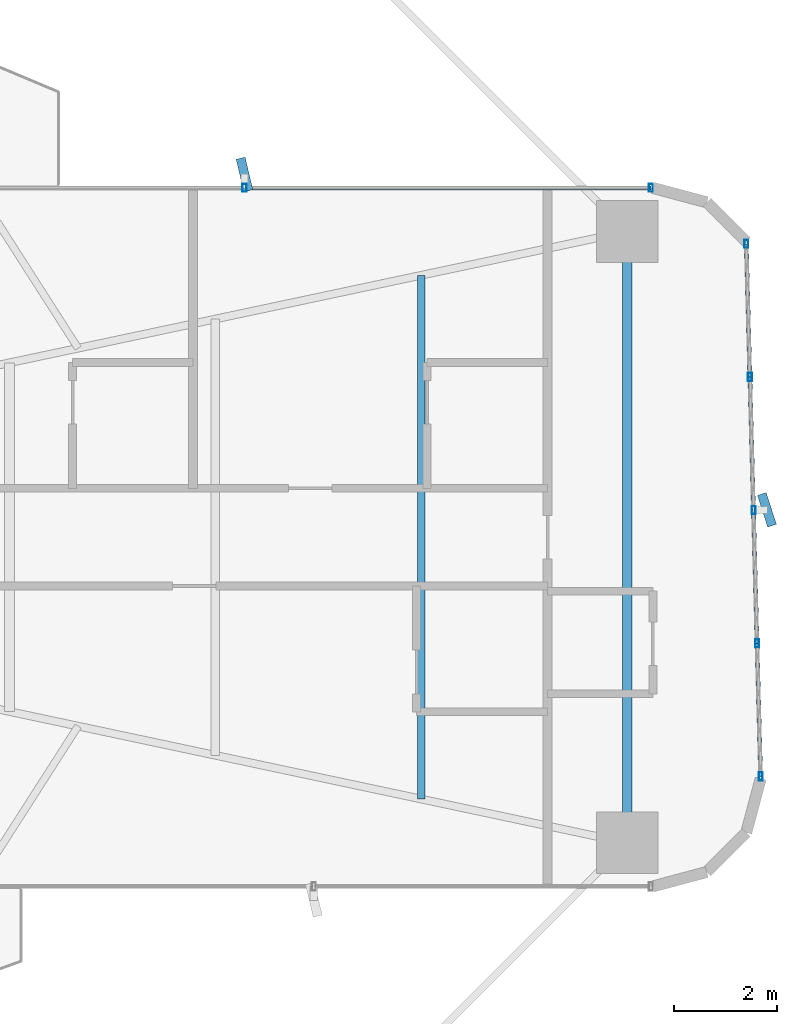
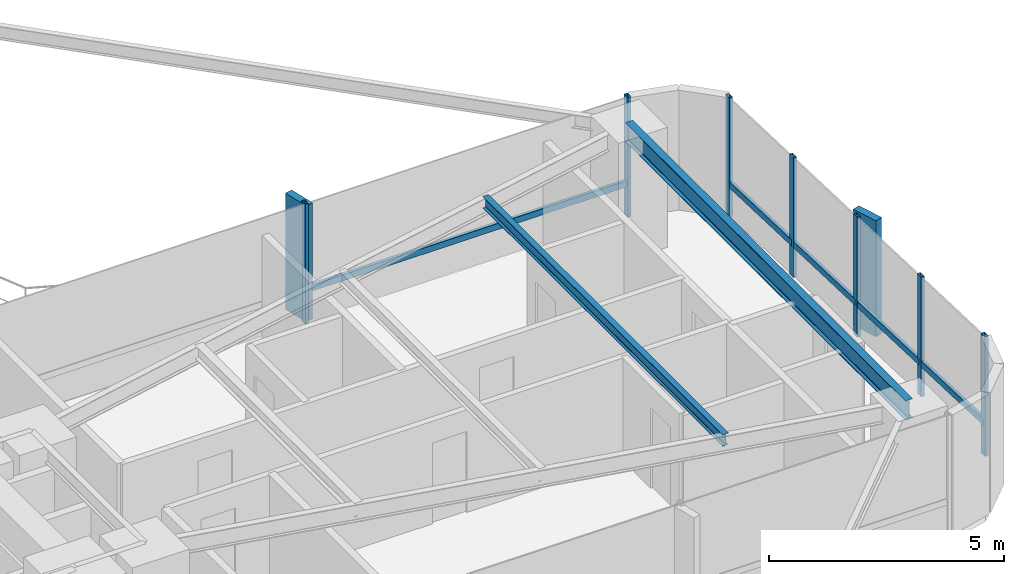
# One storey, part 16 of 25: 14 members, 2 beams, 2 elements without a shape of their own.
"""IFC4 building model written with IfcOpenShell, lengths in metres."""

from ifc_helpers import new_model, si_unit, direction, frame, origin, origin_2d, place, context, subcontext, project, spatial, rectangle, hollow_rectangle, i_section, extrude, source, transform, mapped, material, material_profile, profile_set, type_object, element, aggregate, save


model = new_model("IFC4")

# Units and contexts
model_context = context("Model", 3, precision=1e-05, world=origin(), true_north=direction((0.0, 1.0)))
body_context = subcontext(model_context, "Body", "Model", "MODEL_VIEW")
ifc_project = project(units=[si_unit("LENGTHUNIT", "METRE"), si_unit("AREAUNIT", "SQUARE_METRE"), si_unit("VOLUMEUNIT", "CUBIC_METRE"), si_unit("PLANEANGLEUNIT", "RADIAN"), si_unit("MASSUNIT", "GRAM", prefix="KILO")], contexts=[model_context])

# Site, building, storey
site_placement = place(None, origin())
site = spatial("IfcSite", under=ifc_project, at=site_placement, CompositionType="ELEMENT")
building_placement = place(site_placement, origin())
building = spatial("IfcBuilding", under=site, at=building_placement, Name="Sahyath Konkavel Grand Hotel", CompositionType="ELEMENT")
storey_placement = place(building_placement, frame((0.0, 0.0, 33.14990234375)))
storey = spatial("IfcBuildingStorey", under=building, at=storey_placement, Name="L08", CompositionType="ELEMENT", Elevation=33.14990234375)

# Beams
ifc_material_1 = material(Name="Steel E350", Category="steel")
ifc_material_profile_1 = material_profile(ifc_material_1, i_section(OverallWidth=0.179931640625, OverallDepth=0.5, WebThickness=0.01025390625, FlangeThickness=0.01708984375, FilletRadius=0.01708984375, at=origin_2d()), Name="ISMB 500")
ifc_profile_set_1 = profile_set([ifc_material_profile_1], Name="Steel E350")
beam_type_1 = type_object("IfcBeamType", Name="BM-ISMB500", PredefinedType="BEAM", material=ifc_profile_set_1)
shared_shape_1 = source(origin(), body_context, "Body", "SweptSolid", [
    extrude(i_section(OverallWidth=0.179931640625, OverallDepth=0.5, WebThickness=0.01025390625, FlangeThickness=0.01708984375, FilletRadius=0.01708984375, at=origin_2d()), origin(), (0.0, 0.0, 1.0), 11.89990234375),
])
beam_1_placement = place(storey_placement, frame((22.199951171875, -5.949951171875, 2.860107421875), z_axis=(0.0, 1.0, 0.0), x_axis=(-1.0, 0.0, 0.0)))
element("IfcBeam", 1, at=beam_1_placement, inside=storey, type_object=beam_type_1, Name="L08 Wing Tip Edge Beam E", PredefinedType="BEAM", context=body_context, shape_type="MappedRepresentation", body=[
    mapped(shared_shape_1, transform((0.0, 0.0, 0.0), scale=1.0)),
])
ifc_material_profile_2 = material_profile(ifc_material_1, i_section(OverallWidth=0.139892578125, OverallDepth=0.300048828125, WebThickness=0.0078125, FlangeThickness=0.01318359375, FilletRadius=0.013916015625, at=origin_2d()), Name="ISMB 300")
ifc_profile_set_2 = profile_set([ifc_material_profile_2], Name="Steel E350")
beam_type_2 = type_object("IfcBeamType", Name="BM-ISMB300", PredefinedType="BEAM", material=ifc_profile_set_2)
shared_shape_2 = source(origin(), body_context, "Body", "SweptSolid", [
    extrude(i_section(OverallWidth=0.139892578125, OverallDepth=0.300048828125, WebThickness=0.0078125, FlangeThickness=0.01318359375, FilletRadius=0.013916015625, at=origin_2d()), origin(), (0.0, 0.0, 1.0), 10.19580078125),
])
beam_2_placement = place(storey_placement, frame((18.19189453125, -5.097900390625, 2.960205078125), z_axis=(0.0, 1.0, 0.0), x_axis=(-1.0, 0.0, 0.0)))
element("IfcBeam", 2, at=beam_2_placement, inside=storey, type_object=beam_type_2, Name="L08 Secondary Floor Beam E-3", PredefinedType="BEAM", context=body_context, shape_type="MappedRepresentation", body=[
    mapped(shared_shape_2, transform((0.0, 0.0, 0.0), scale=1.0)),
])

# Curtain wall, member
ifc_material_2 = material(Name="Anodised Bronze Aluminium & Low-E Glazing", Category="aluminium")
curtain_wall_type = type_object("IfcCurtainWallType", Name="CW-ZONE1", PredefinedType="NOTDEFINED", material=ifc_material_2)
curtain_wall_1_placement = place(storey_placement, origin())
curtain_wall_1 = element("IfcCurtainWall", 3, at=curtain_wall_1_placement, inside=storey, type_object=curtain_wall_type, Name="L08 Unitised Curtain Wall F4", PredefinedType="NOTDEFINED")
ifc_material_3 = material(Name="Warm Buff Sandstone Cladding on Concrete C50/60", Category="masonry")
ifc_material_profile_3 = material_profile(ifc_material_3, rectangle(XDim=0.179931640625, YDim=0.64990234375, at=origin_2d()), Name="FIN 180x650")
ifc_profile_set_3 = profile_set([ifc_material_profile_3], Name="Warm Buff Sandstone Cladding on Concrete C50/60")
member_type_1 = type_object("IfcMemberType", Name="FIN-SANDSTONE-650", PredefinedType="MULLION", material=ifc_profile_set_3)
shared_shape_3 = source(origin(), body_context, "Body", "SweptSolid", [
    extrude(rectangle(XDim=0.179931640625, YDim=0.64990234375, at=origin_2d()), origin(), (0.0, 0.0, 1.0), 3.010009765625),
])
member_1_placement = place(storey_placement, frame((24.919189453125, 0.531982421875, 0.050048828125), z_axis=(0.0, 0.0, 1.0), x_axis=(0.951164325631, 0.308684994204, 0.0)))
member_1 = element("IfcMember", 4, at=member_1_placement, type_object=member_type_1, Name="L08 Sandstone Vertical Solar Fin FIN F4-2", PredefinedType="MULLION", context=body_context, shape_type="MappedRepresentation", body=[
    mapped(shared_shape_3, transform((0.0, 0.0, 0.0), scale=1.0)),
])

# Curtain wall, members
curtain_wall_2_placement = place(storey_placement, origin())
curtain_wall_2 = element("IfcCurtainWall", 5, at=curtain_wall_2_placement, inside=storey, type_object=curtain_wall_type, Name="L08 Unitised Curtain Wall F7", PredefinedType="NOTDEFINED")
member_2_placement = place(storey_placement, frame((14.75, 7.06005859375, 0.050048828125), z_axis=(0.0, 0.0, 1.0), x_axis=(0.973138706701, 0.230219585439, 0.0)))
member_2 = element("IfcMember", 6, at=member_2_placement, type_object=member_type_1, Name="L08 Sandstone Vertical Solar Fin FIN F7-1", PredefinedType="MULLION", context=body_context, shape_type="MappedRepresentation", body=[
    mapped(shared_shape_3, transform((0.0, 0.0, 0.0), scale=1.0)),
])
ifc_material_4 = material(Name="Anodised Bronze Aluminium", Category="aluminium")
ifc_material_profile_4 = material_profile(ifc_material_4, hollow_rectangle(XDim=0.080078125, YDim=0.159912109375, WallThickness=0.006103515625, at=origin_2d()), Name="RHS 160x80x6")
ifc_profile_set_4 = profile_set([ifc_material_profile_4], Name="Anodised Bronze Aluminium")
member_type_2 = type_object("IfcMemberType", Name="CW-TRN-160", PredefinedType="USERDEFINED", material=ifc_profile_set_4)
shared_shape_4 = source(origin(), body_context, "Body", "SweptSolid", [
    extrude(hollow_rectangle(XDim=0.080078125, YDim=0.159912109375, WallThickness=0.006103515625, at=origin_2d()), origin(), (0.0, 0.0, 1.0), 7.909912109375),
])
member_3_placement = place(storey_placement, frame((22.659912109375, 6.800048828125, 0.85009765625), z_axis=(-1.0, 0.0, 0.0), x_axis=(0.0, -1.0, 0.0)))
member_3 = element("IfcMember", 7, at=member_3_placement, type_object=member_type_2, Name="L08 Curtain Wall Transom F7-0-spandrel", ObjectType="TRANSOM", PredefinedType="USERDEFINED", context=body_context, shape_type="MappedRepresentation", body=[
    mapped(shared_shape_4, transform((0.0, 0.0, 0.0), scale=1.0)),
])

# Member
shared_shape_5 = source(origin(), body_context, "Body", "SweptSolid", [
    extrude(hollow_rectangle(XDim=0.080078125, YDim=0.159912109375, WallThickness=0.006103515625, at=origin_2d()), origin(), (0.0, 0.0, 1.0), 2.593505859375),
])
member_4_placement = place(storey_placement, frame((24.798828125, -4.659912109375, 0.85009765625), z_axis=(-0.026923093252, 0.999637507825, 0.0), x_axis=(-0.999637507825, -0.026923093252, 0.0)))
member_4 = element("IfcMember", 8, at=member_4_placement, type_object=member_type_2, Name="L08 Curtain Wall Transom F4-0-spandrel", ObjectType="TRANSOM", PredefinedType="USERDEFINED", context=body_context, shape_type="MappedRepresentation", body=[
    mapped(shared_shape_5, transform((0.0, 0.0, 0.0), scale=1.0)),
])

member_5_placement = place(storey_placement, frame((24.6591796875, 0.52490234375, 0.85009765625), z_axis=(-0.02682902444, 0.999640036937, 0.0), x_axis=(-0.999640036937, -0.02682902444, 0.0)))
member_5 = element("IfcMember", 9, at=member_5_placement, type_object=member_type_2, Name="L08 Curtain Wall Transom F4-2-spandrel", ObjectType="TRANSOM", PredefinedType="USERDEFINED", context=body_context, shape_type="MappedRepresentation", body=[
    mapped(shared_shape_5, transform((0.0, 0.0, 0.0), scale=1.0)),
])

member_6_placement = place(storey_placement, frame((24.589599609375, 3.117431640625, 0.85009765625), z_axis=(-0.026923093252, 0.999637507825, 0.0), x_axis=(-0.999637507825, -0.026923093252, 0.0)))
member_6 = element("IfcMember", 10, at=member_6_placement, type_object=member_type_2, Name="L08 Curtain Wall Transom F4-3-spandrel", ObjectType="TRANSOM", PredefinedType="USERDEFINED", context=body_context, shape_type="MappedRepresentation", body=[
    mapped(shared_shape_5, transform((0.0, 0.0, 0.0), scale=1.0)),
])

shared_shape_6 = source(origin(), body_context, "Body", "SweptSolid", [
    extrude(hollow_rectangle(XDim=0.080078125, YDim=0.159912109375, WallThickness=0.006103515625, at=origin_2d()), origin(), (0.0, 0.0, 1.0), 2.59326171875),
])
member_7_placement = place(storey_placement, frame((24.72900390625, -2.0673828125, 0.85009765625), z_axis=(-0.026925627022, 0.99963743958, 0.0), x_axis=(-0.99963743958, -0.026925627022, 0.0)))
member_7 = element("IfcMember", 11, at=member_7_placement, type_object=member_type_2, Name="L08 Curtain Wall Transom F4-1-spandrel", ObjectType="TRANSOM", PredefinedType="USERDEFINED", context=body_context, shape_type="MappedRepresentation", body=[
    mapped(shared_shape_6, transform((0.0, 0.0, 0.0), scale=1.0)),
])

ifc_material_profile_5 = material_profile(ifc_material_4, hollow_rectangle(XDim=0.080078125, YDim=0.159912109375, WallThickness=0.006103515625, at=origin_2d()), Name="RHS 160x80x6")
ifc_profile_set_5 = profile_set([ifc_material_profile_5], Name="Anodised Bronze Aluminium")
member_type_3 = type_object("IfcMemberType", Name="CW-MUL-160", PredefinedType="MULLION", material=ifc_profile_set_5)
shared_shape_7 = source(origin(), body_context, "Body", "SweptSolid", [
    extrude(hollow_rectangle(XDim=0.080078125, YDim=0.159912109375, WallThickness=0.006103515625, at=origin_2d()), origin(), (0.0, 0.0, 1.0), 3.110107421875),
])
member_8_placement = place(storey_placement, frame((24.798828125, -4.659912109375, 0.0), z_axis=(0.0, 0.0, 1.0), x_axis=(1.0, 0.0, 0.0)))
member_8 = element("IfcMember", 12, at=member_8_placement, type_object=member_type_3, Name="L08 Curtain Wall Mullion F4-0", PredefinedType="MULLION", context=body_context, shape_type="MappedRepresentation", body=[
    mapped(shared_shape_7, transform((0.0, 0.0, 0.0), scale=1.0)),
])

member_9_placement = place(storey_placement, frame((24.72900390625, -2.0673828125, 0.0), z_axis=(0.0, 0.0, 1.0), x_axis=(1.0, 0.0, 0.0)))
member_9 = element("IfcMember", 13, at=member_9_placement, type_object=member_type_3, Name="L08 Curtain Wall Mullion F4-1", PredefinedType="MULLION", context=body_context, shape_type="MappedRepresentation", body=[
    mapped(shared_shape_7, transform((0.0, 0.0, 0.0), scale=1.0)),
])

member_10_placement = place(storey_placement, frame((24.6591796875, 0.52490234375, 0.0), z_axis=(0.0, 0.0, 1.0), x_axis=(1.0, 0.0, 0.0)))
member_10 = element("IfcMember", 14, at=member_10_placement, type_object=member_type_3, Name="L08 Curtain Wall Mullion F4-2", PredefinedType="MULLION", context=body_context, shape_type="MappedRepresentation", body=[
    mapped(shared_shape_7, transform((0.0, 0.0, 0.0), scale=1.0)),
])

member_11_placement = place(storey_placement, frame((24.589599609375, 3.117431640625, 0.0), z_axis=(0.0, 0.0, 1.0), x_axis=(1.0, 0.0, 0.0)))
member_11 = element("IfcMember", 15, at=member_11_placement, type_object=member_type_3, Name="L08 Curtain Wall Mullion F4-3", PredefinedType="MULLION", context=body_context, shape_type="MappedRepresentation", body=[
    mapped(shared_shape_7, transform((0.0, 0.0, 0.0), scale=1.0)),
])

member_12_placement = place(storey_placement, frame((24.519775390625, 5.7099609375, 0.0), z_axis=(0.0, 0.0, 1.0), x_axis=(1.0, 0.0, 0.0)))
member_12 = element("IfcMember", 16, at=member_12_placement, type_object=member_type_3, Name="L08 Curtain Wall Mullion F4-4", PredefinedType="MULLION", context=body_context, shape_type="MappedRepresentation", body=[
    mapped(shared_shape_7, transform((0.0, 0.0, 0.0), scale=1.0)),
])

aggregate(curtain_wall_1, [member_8, member_9, member_10, member_1, member_11, member_12, member_4, member_7, member_5, member_6])

member_13_placement = place(storey_placement, frame((22.659912109375, 6.800048828125, 0.0), z_axis=(0.0, 0.0, 1.0), x_axis=(1.0, 0.0, 0.0)))
member_13 = element("IfcMember", 17, at=member_13_placement, type_object=member_type_3, Name="L08 Curtain Wall Mullion F7-0", PredefinedType="MULLION", context=body_context, shape_type="MappedRepresentation", body=[
    mapped(shared_shape_7, transform((0.0, 0.0, 0.0), scale=1.0)),
])

member_14_placement = place(storey_placement, frame((14.75, 6.800048828125, 0.0), z_axis=(0.0, 0.0, 1.0), x_axis=(1.0, 0.0, 0.0)))
member_14 = element("IfcMember", 18, at=member_14_placement, type_object=member_type_3, Name="L08 Curtain Wall Mullion F7-1", PredefinedType="MULLION", context=body_context, shape_type="MappedRepresentation", body=[
    mapped(shared_shape_7, transform((0.0, 0.0, 0.0), scale=1.0)),
])

aggregate(curtain_wall_2, [member_13, member_14, member_2, member_3])

save(model, "model.ifc")
